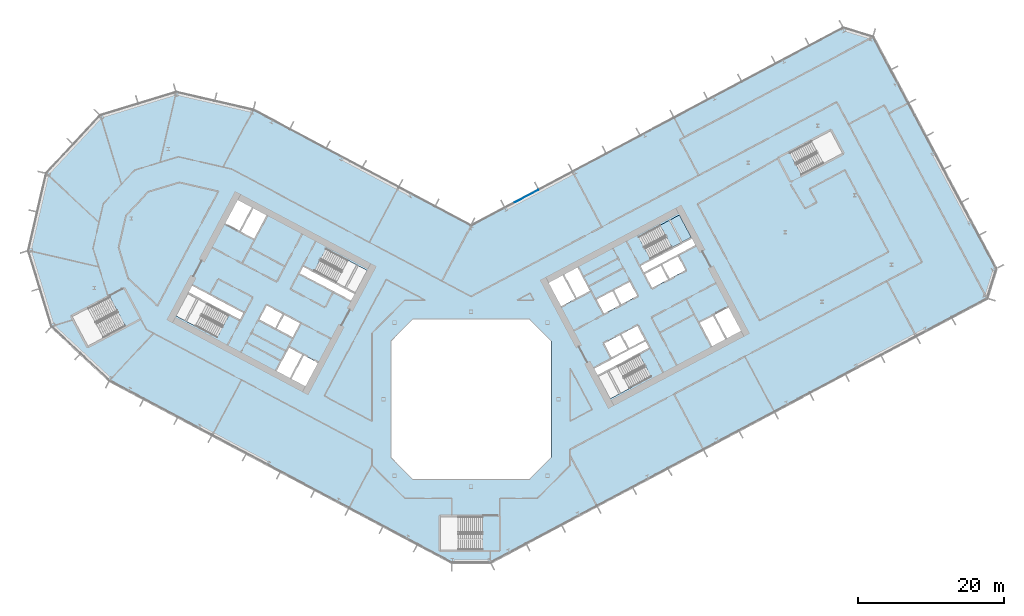
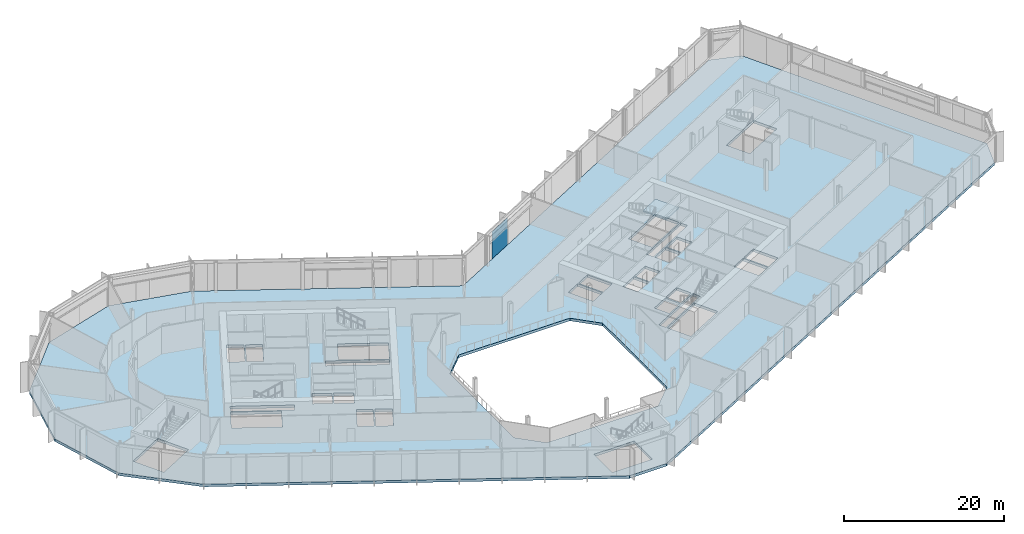
# One storey, part 12 of 30: 2 slabs, 1 plate, 2 elements without a shape of their own.
"""IFC4 building model written with IfcOpenShell, lengths in metres."""

from ifc_helpers import new_model, si_unit, direction, frame, origin, origin_2d, place, context, subcontext, project, spatial, polyline, rectangle, outline, extrude, material, layer, layer_set, type_object, element, aggregate, save


model = new_model("IFC4")

# Units and contexts
model_context = context("Model", 3, precision=1e-05, world=origin(), true_north=direction((0.0, 1.0)))
body_context = subcontext(model_context, "Body", "Model", "MODEL_VIEW")
ifc_project = project(units=[si_unit("LENGTHUNIT", "METRE"), si_unit("AREAUNIT", "SQUARE_METRE"), si_unit("VOLUMEUNIT", "CUBIC_METRE"), si_unit("PLANEANGLEUNIT", "RADIAN"), si_unit("MASSUNIT", "GRAM", prefix="KILO")], contexts=[model_context])

# Site, building, storey
site_placement = place(None, origin())
site = spatial("IfcSite", under=ifc_project, at=site_placement, CompositionType="ELEMENT")
building_placement = place(site_placement, origin())
building = spatial("IfcBuilding", under=site, at=building_placement, Name="Cormorant Relay Tower", CompositionType="ELEMENT")
storey_placement = place(building_placement, frame((0.0, 0.0, 80.0)))
storey = spatial("IfcBuildingStorey", under=building, at=storey_placement, Name="L15", CompositionType="ELEMENT", Elevation=80.0)

# Curtain wall, plate
ifc_material_1 = material(Name="Aluminium 6063-T6 anodised bronze", Category="aluminium")
ifc_layer_1 = layer(ifc_material_1, 0.199951171875)
ifc_layer_set_1 = layer_set([ifc_layer_1], Name="CW1 unitised bronze curtain wall with vertical fins")
curtain_wall_type = type_object("IfcCurtainWallType", Name="CW1 unitised bronze curtain wall with vertical fins", PredefinedType="NOTDEFINED", material=ifc_layer_set_1)
curtain_wall_placement = place(storey_placement, origin())
curtain_wall = element("IfcCurtainWall", 1, at=curtain_wall_placement, inside=storey, type_object=curtain_wall_type, Name="CW1 curtain wall 6", PredefinedType="NOTDEFINED")
ifc_material_2 = material(Name="Tinted laminated glass", Category="glass")
ifc_layer_2 = layer(ifc_material_2, 0.0400390625)
ifc_layer_set_2 = layer_set([ifc_layer_2], Name="CW1 tinted vision panel 3600 module")
plate_type = type_object("IfcPlateType", Name="CW1 tinted vision panel 3600 module", PredefinedType="CURTAIN_PANEL", material=ifc_layer_set_2)
plate_placement = place(storey_placement, frame((7.619384765625, 27.85791015625, 0.0), z_axis=(0.0, 0.0, 1.0), x_axis=(-0.882947592859, -0.469471562786, 0.0)))
plate = element("IfcPlate", 2, at=plate_placement, type_object=plate_type, Name="CW1 panel V09", PredefinedType="CURTAIN_PANEL", context=body_context, shape_type="SweptSolid", body=[
    extrude(rectangle(XDim=3.60009765625, YDim=0.0400390625, at=origin_2d()), origin(), (0.0, 0.0, 1.0), 4.14990234375),
])
aggregate(curtain_wall, [plate])

# Stair, slab
ifc_material_3 = material(Name="Concrete 40 MPa", Category="concrete")
stair_type = type_object("IfcStairType", Name="Exit stair 1500", PredefinedType="HALF_TURN_STAIR", material=ifc_material_3)
stair_placement = place(storey_placement, origin())
stair = element("IfcStair", 3, at=stair_placement, inside=storey, type_object=stair_type, Name="L15 Stair", PredefinedType="HALF_TURN_STAIR")
ifc_material_4 = material(Name="Concrete 40 MPa", Category="concrete")
ifc_layer_3 = layer(ifc_material_4, 0.199951171875)
ifc_layer_set_3 = layer_set([ifc_layer_3], Name="Exit stair landing 200")
slab_type_1 = type_object("IfcSlabType", Name="Exit stair landing 200", PredefinedType="LANDING", material=ifc_layer_set_3)
slab_1_placement = place(storey_placement, frame((0.0, 0.0, 2.10009765625)))
slab_1 = element("IfcSlab", 4, at=slab_1_placement, type_object=slab_type_1, Name="B2 landing 1", PredefinedType="LANDING", context=body_context, shape_type="SweptSolid", body=[
    extrude(outline(polyline([(27.558837890625, 20.82568359375), (30.19873046875, 22.2294921875), (28.5791015625, 25.275634765625), (25.93896484375, 23.871826171875), (27.558837890625, 20.82568359375)])), origin(), (0.0, 0.0, 1.0), 0.199951171875),
])
aggregate(stair, [slab_1])

# Slab
ifc_material_5 = material(Name="Concrete 40 MPa", Category="concrete")
ifc_layer_4 = layer(ifc_material_5, 0.39990234375)
ifc_layer_set_4 = layer_set([ifc_layer_4], Name="Flat plate 400")
slab_type_2 = type_object("IfcSlabType", Name="Flat plate 400", PredefinedType="FLOOR", material=ifc_layer_set_4)
slab_2_placement = place(storey_placement, frame((0.0, 0.0, -0.39990234375)))
element("IfcSlab", 5, at=slab_2_placement, inside=storey, type_object=slab_type_2, Name="Floor slab L15", PredefinedType="FLOOR", context=body_context, shape_type="SweptSolid", body=[
    extrude(outline(polyline([(-60.7197265625, 20.393310546875), (-58.2744140625, 30.985107421875), (-50.86083984375, 38.935302734375), (-40.465576171875, 42.11328125), (-29.873779296875, 39.668212890625), (0.0, 23.783935546875), (51.064453125, 50.935302734375), (55.12158203125, 49.695068359375), (72.022705078125, 17.908935546875), (70.7822265625, 13.8515625), (2.648681640625, -22.37548828125), (-2.648681640625, -22.37548828125), (-49.591552734375, 2.584228515625), (-57.541748046875, 9.997802734375), (-60.7197265625, 20.393310546875)]), holes=[polyline([(11.0, -8.0), (11.0, 8.0), (8.0, 11.0), (-8.0, 11.0), (-11.0, 8.0), (-11.0, -8.0), (-8.0, -11.0), (8.0, -11.0), (11.0, -8.0)]), polyline([(-4.199951171875, -16.125), (-4.199951171875, -20.675048828125), (1.60009765625, -20.675048828125), (1.60009765625, -16.125), (-4.199951171875, -16.125)]), polyline([(-22.95458984375, 6.03271484375), (-24.668212890625, 2.81005859375), (-22.725830078125, 1.777099609375), (-21.01220703125, 5.0), (-23.04296875, 6.07958984375), (-22.95458984375, 6.03271484375)]), polyline([(-24.985595703125, 7.112548828125), (-26.69921875, 3.889892578125), (-24.844970703125, 2.90380859375), (-23.13134765625, 6.126708984375), (-23.04296875, 6.07958984375), (-24.985595703125, 7.112548828125)]), polyline([(-26.688720703125, 9.660400390625), (-24.481201171875, 8.48681640625), (-23.448486328125, 10.42919921875), (-25.656005859375, 11.602783203125), (-26.688720703125, 9.660400390625)]), polyline([(-49.57861328125, 14.0537109375), (-54.69970703125, 11.330810546875), (-52.563720703125, 7.3134765625), (-47.442626953125, 10.036376953125), (-49.57861328125, 14.0537109375)]), polyline([(-29.07275390625, 10.927978515625), (-26.865234375, 9.75439453125), (-25.83251953125, 11.69677734375), (-28.039794921875, 12.870361328125), (-29.07275390625, 10.927978515625)]), polyline([(-38.847900390625, 14.483154296875), (-40.46728515625, 11.43701171875), (-34.860595703125, 8.455810546875), (-33.240966796875, 11.502197265625), (-38.847900390625, 14.483154296875)]), polyline([(-38.260986328125, 15.5869140625), (-38.75390625, 14.659912109375), (-31.690185546875, 10.904052734375), (-31.197265625, 11.8310546875), (-38.260986328125, 15.5869140625)]), polyline([(14.3056640625, 13.779052734375), (12.592041015625, 17.001708984375), (10.649658203125, 15.968994140625), (12.36328125, 12.74609375), (14.39404296875, 13.825927734375), (14.3056640625, 13.779052734375)]), polyline([(16.33642578125, 14.85888671875), (14.622802734375, 18.08154296875), (12.768798828125, 17.095703125), (14.482421875, 13.872802734375), (14.39404296875, 13.825927734375), (16.33642578125, 14.85888671875)]), polyline([(-16.481689453125, 13.520263671875), (-15.989013671875, 14.447509765625), (-23.052490234375, 18.203125), (-23.54541015625, 17.276123046875), (-16.481689453125, 13.520263671875)]), polyline([(-21.501708984375, 17.605224609375), (-15.89501953125, 14.6240234375), (-14.275390625, 17.670166015625), (-19.882080078125, 20.6513671875), (-21.501708984375, 17.605224609375)]), polyline([(-31.611572265625, 22.980712890625), (-29.75732421875, 21.99462890625), (-28.043701171875, 25.217529296875), (-29.89794921875, 26.203369140625), (-31.611572265625, 22.980712890625)]), polyline([(-33.73046875, 24.107421875), (-31.7880859375, 23.074462890625), (-30.074462890625, 26.29736328125), (-32.01708984375, 27.330078125), (-33.73046875, 24.107421875)]), polyline([(23.087158203125, 6.10302734375), (17.48046875, 3.1220703125), (19.10009765625, 0.07568359375), (24.706787109375, 3.056884765625), (23.087158203125, 6.10302734375)]), polyline([(16.8935546875, 4.2255859375), (17.386474609375, 3.298583984375), (24.4501953125, 7.054443359375), (23.957275390625, 7.9814453125), (16.8935546875, 4.2255859375)]), polyline([(20.446533203125, 8.8330078125), (18.239013671875, 7.6591796875), (19.27197265625, 5.716796875), (21.479248046875, 6.890380859375), (20.446533203125, 8.8330078125)]), polyline([(22.830322265625, 10.1005859375), (20.623046875, 8.927001953125), (21.656005859375, 6.984375), (23.86328125, 8.158203125), (22.830322265625, 10.1005859375)]), polyline([(33.197021484375, 11.478515625), (31.3427734375, 10.49267578125), (33.056396484375, 7.27001953125), (34.910400390625, 8.255859375), (33.197021484375, 11.478515625)]), polyline([(33.37353515625, 11.572509765625), (35.087158203125, 8.349609375), (37.029541015625, 9.382568359375), (35.31591796875, 12.605224609375), (33.37353515625, 11.572509765625)]), polyline([(17.19384765625, 13.67236328125), (18.2265625, 11.72998046875), (20.43408203125, 12.903564453125), (19.401123046875, 14.84619140625), (17.19384765625, 13.67236328125)]), polyline([(21.78515625, 16.113525390625), (19.57763671875, 14.93994140625), (20.610595703125, 12.99755859375), (22.81787109375, 14.171142578125), (21.78515625, 16.113525390625)]), polyline([(26.023193359375, 18.3671875), (23.81591796875, 17.193359375), (24.8486328125, 15.2509765625), (27.05615234375, 16.424560546875), (26.023193359375, 18.3671875)]), polyline([(29.440185546875, 17.692138671875), (28.4072265625, 19.634765625), (26.19970703125, 18.4609375), (27.232666015625, 16.5185546875), (29.440185546875, 17.692138671875)]), polyline([(30.78564453125, 21.125732421875), (30.29248046875, 22.052978515625), (23.22900390625, 18.297119140625), (23.721923828125, 17.3701171875), (30.78564453125, 21.125732421875)]), polyline([(24.592041015625, 19.248291015625), (30.19873046875, 22.2294921875), (28.5791015625, 25.275634765625), (22.972412109375, 22.29443359375), (24.592041015625, 19.248291015625)]), polyline([(45.3349609375, 30.773681640625), (50.941650390625, 33.7548828125), (49.322021484375, 36.801025390625), (43.715087890625, 33.81982421875), (45.3349609375, 30.773681640625)])]), origin(), (0.0, 0.0, 1.0), 0.39990234375),
])

save(model, "model.ifc")
